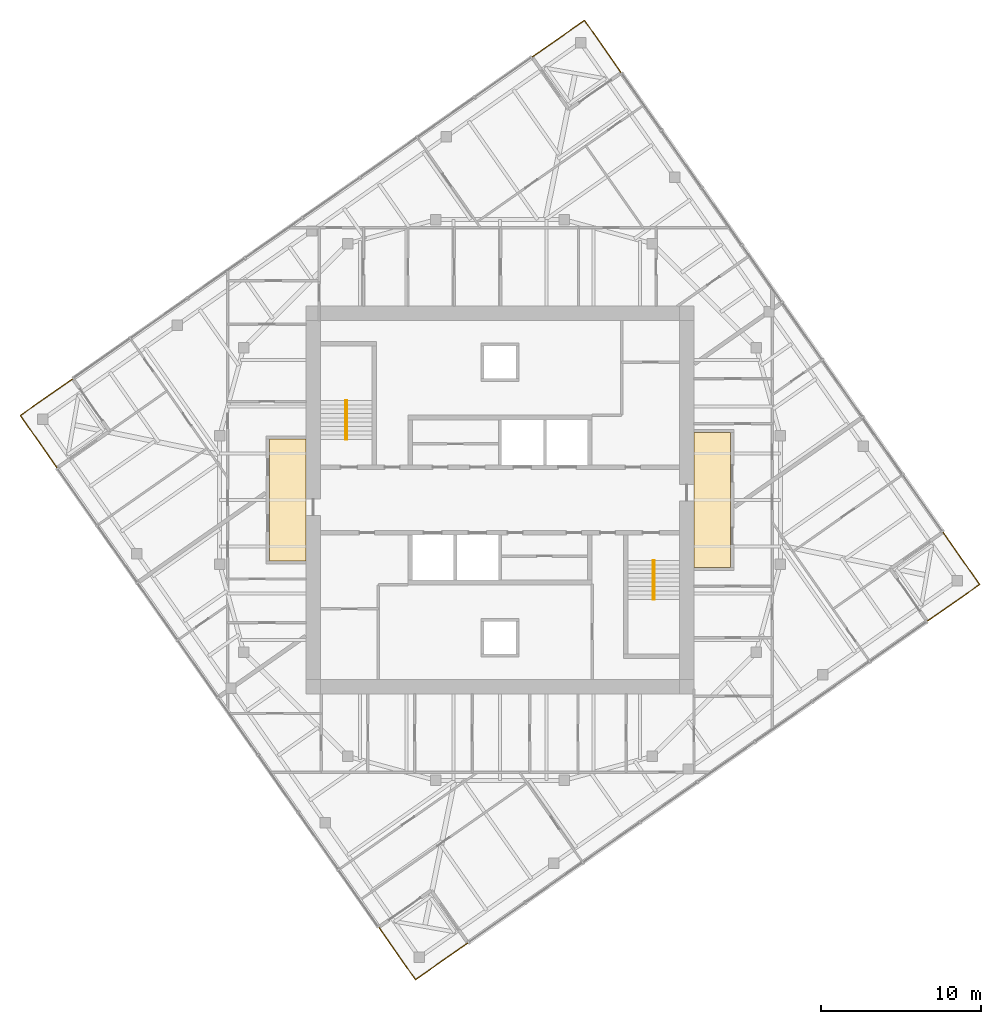
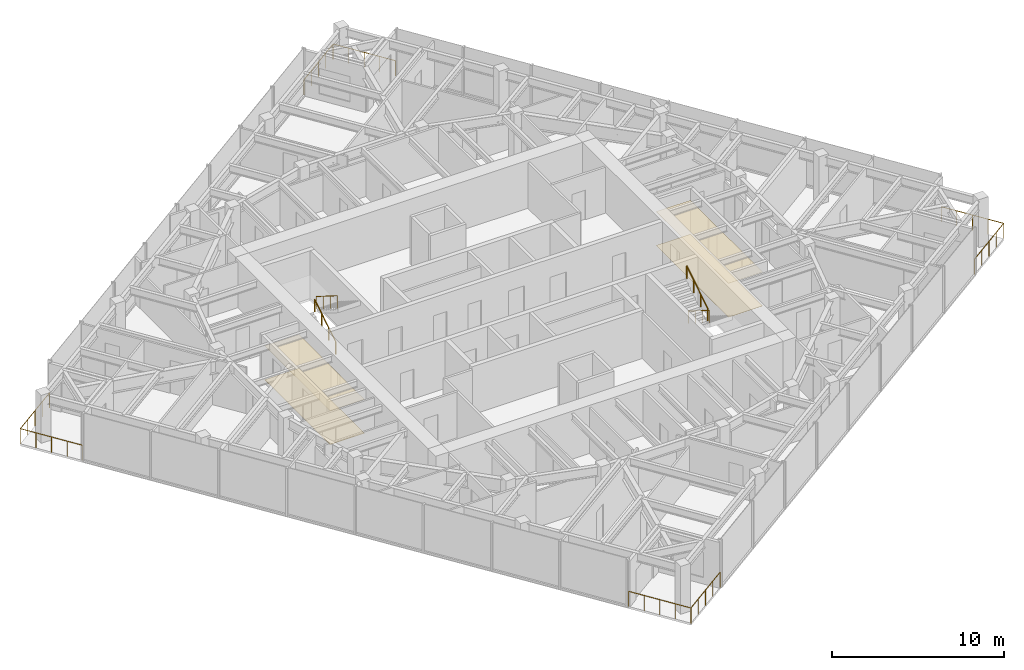
# One storey, part 12 of 12: 8 railings, 4 coverings, 2 elements without a shape of their own.
"""IFC4 building model written with IfcOpenShell, lengths in metres."""

from ifc_helpers import new_model, si_unit, direction, frame, origin, origin_2d, place, context, subcontext, project, spatial, polyline, circle, outline, extrude, material, layer, layer_set, type_object, element, aggregate, save


model = new_model("IFC4")

# Units and contexts
model_context = context("Model", 3, precision=1e-05, world=origin(), true_north=direction((0.0, 1.0)))
body_context = subcontext(model_context, "Body", "Model", "MODEL_VIEW")
ifc_project = project(units=[si_unit("LENGTHUNIT", "METRE"), si_unit("AREAUNIT", "SQUARE_METRE"), si_unit("VOLUMEUNIT", "CUBIC_METRE"), si_unit("PLANEANGLEUNIT", "RADIAN"), si_unit("MASSUNIT", "GRAM", prefix="KILO")], contexts=[model_context])

# Site, building, storey
site_placement = place(None, origin())
site = spatial("IfcSite", under=ifc_project, at=site_placement, CompositionType="ELEMENT")
building_placement = place(site_placement, origin())
building = spatial("IfcBuilding", under=site, at=building_placement, Name="Torsade Residences", CompositionType="ELEMENT")
storey_placement = place(building_placement, frame((0.0, 0.0, 247.199951171875)))
storey = spatial("IfcBuildingStorey", under=building, at=storey_placement, Name="L68", CompositionType="ELEMENT", Elevation=247.199951171875)

# Coverings
ifc_material_1 = material(Name="Nylon carpet tile on underlay", Category="textile")
ifc_layer_1 = layer(ifc_material_1, 0.010009765625)
ifc_layer_set_1 = layer_set([ifc_layer_1], Name="Nylon carpet tile on underlay")
covering_type_1 = type_object("IfcCoveringType", Name="CORRIDOR CARPET TILE 10", PredefinedType="FLOORING", material=ifc_layer_set_1)
covering_1_placement = place(storey_placement, origin())
element("IfcCovering", 1, at=covering_1_placement, inside=storey, type_object=covering_type_1, Name="Corridor carpet L68", PredefinedType="FLOORING", context=body_context, shape_type="SweptSolid", body=[
    extrude(outline(polyline([(54.39990234375, 25.800048828125), (54.39990234375, 34.199951171875), (52.10009765625, 34.199951171875), (52.10009765625, 25.800048828125), (54.39990234375, 25.800048828125)])), origin(), (0.0, 0.0, 1.0), 0.010009765625),
])
covering_2_placement = place(storey_placement, origin())
element("IfcCovering", 2, at=covering_2_placement, inside=storey, type_object=covering_type_1, Name="Corridor carpet west L68", PredefinedType="FLOORING", context=body_context, shape_type="SweptSolid", body=[
    extrude(outline(polyline([(27.89990234375, 26.199951171875), (27.89990234375, 33.800048828125), (25.60009765625, 33.800048828125), (25.60009765625, 26.199951171875), (27.89990234375, 26.199951171875)])), origin(), (0.0, 0.0, 1.0), 0.010009765625),
])
ifc_material_2 = material(Name="Plasterboard on suspended steel grid", Category="steel")
ifc_layer_2 = layer(ifc_material_2, 0.012939453125)
ifc_layer_set_2 = layer_set([ifc_layer_2], Name="Plasterboard on suspended steel grid")
covering_type_2 = type_object("IfcCoveringType", Name="CORRIDOR SUSPENDED CEILING 13", PredefinedType="CEILING", material=ifc_layer_set_2)
covering_3_placement = place(storey_placement, frame((0.0, 0.0, 2.400146484375)))
element("IfcCovering", 3, at=covering_3_placement, inside=storey, type_object=covering_type_2, Name="Corridor ceiling L68", PredefinedType="CEILING", context=body_context, shape_type="SweptSolid", body=[
    extrude(outline(polyline([(54.39990234375, 25.800048828125), (54.39990234375, 34.199951171875), (52.10009765625, 34.199951171875), (52.10009765625, 25.800048828125), (54.39990234375, 25.800048828125)])), origin(), (0.0, 0.0, 1.0), 0.012939453125),
])
covering_4_placement = place(storey_placement, frame((0.0, 0.0, 2.400146484375)))
element("IfcCovering", 4, at=covering_4_placement, inside=storey, type_object=covering_type_2, Name="Corridor ceiling west L68", PredefinedType="CEILING", context=body_context, shape_type="SweptSolid", body=[
    extrude(outline(polyline([(27.89990234375, 26.199951171875), (27.89990234375, 33.800048828125), (25.60009765625, 33.800048828125), (25.60009765625, 26.199951171875), (27.89990234375, 26.199951171875)])), origin(), (0.0, 0.0, 1.0), 0.012939453125),
])

# Stair, railings
ifc_material_3 = material(Name="Precast concrete 40 MPa", Category="concrete")
stair_type = type_object("IfcStairType", Name="HALF-TURN FIRE STAIR 1500x3400", PredefinedType="HALF_TURN_STAIR", material=ifc_material_3)
stair_1_placement = place(storey_placement, origin())
stair_1 = element("IfcStair", 5, at=stair_1_placement, inside=storey, type_object=stair_type, Name="Stair ST1 L68", PredefinedType="HALF_TURN_STAIR")
ifc_material_4 = material(Name="Steel handrail", Category="steel")
railing_type_1 = type_object("IfcRailingType", Name="STAIR HANDRAIL 900", PredefinedType="HANDRAIL", material=ifc_material_4)
railing_1_placement = place(storey_placement, frame((30.35009765625, 33.780029296875, 0.170166015625)))
railing_1 = element("IfcRailing", 6, at=railing_1_placement, type_object=railing_type_1, Name="Handrail ST1 flight 1 L68", PredefinedType="HANDRAIL", context=body_context, shape_type="SweptSolid", body=[
    extrude(circle(Radius=0.02392578125, at=origin_2d()), frame((0.0, 0.0, 0.8759765625), z_axis=(0.0, 0.846259816676, 0.532770422113), x_axis=(-1.0, 0.0, 0.0)), (0.0, 0.0, 1.0), 2.871337890625),
    extrude(circle(Radius=0.02099609375, at=origin_2d()), origin(), (0.0, 0.0, 1.0), 0.851806640625),
    extrude(circle(Radius=0.02099609375, at=origin_2d()), frame((0.0, 0.81005859375, 0.510009765625)), (0.0, 0.0, 1.0), 0.851806640625),
    extrude(circle(Radius=0.02099609375, at=origin_2d()), frame((0.0, 1.619873046875, 1.019775390625)), (0.0, 0.0, 1.0), 0.851806640625),
    extrude(circle(Radius=0.02099609375, at=origin_2d()), frame((0.0, 2.429931640625, 1.52978515625)), (0.0, 0.0, 1.0), 0.851806640625),
])
railing_2_placement = place(storey_placement, frame((30.449951171875, 36.2099609375, 1.8701171875)))
railing_2 = element("IfcRailing", 7, at=railing_2_placement, type_object=railing_type_1, Name="Handrail ST1 flight 2 L68", PredefinedType="HANDRAIL", context=body_context, shape_type="SweptSolid", body=[
    extrude(circle(Radius=0.02392578125, at=origin_2d()), frame((0.0, 0.0, 0.8759765625), z_axis=(0.0, -0.846221481393, 0.532831309544), x_axis=(1.0, 0.0, 0.0)), (0.0, 0.0, 1.0), 2.87158203125),
    extrude(circle(Radius=0.02099609375, at=origin_2d()), origin(), (0.0, 0.0, 1.0), 0.851806640625),
    extrude(circle(Radius=0.02099609375, at=origin_2d()), frame((0.0, -0.81005859375, 0.510009765625)), (0.0, 0.0, 1.0), 0.851806640625),
    extrude(circle(Radius=0.02099609375, at=origin_2d()), frame((0.0, -1.619873046875, 1.02001953125)), (0.0, 0.0, 1.0), 0.851806640625),
    extrude(circle(Radius=0.02099609375, at=origin_2d()), frame((0.0, -2.429931640625, 1.530029296875)), (0.0, 0.0, 1.0), 0.851806640625),
])
aggregate(stair_1, [railing_1, railing_2])

stair_2_placement = place(storey_placement, origin())
stair_2 = element("IfcStair", 8, at=stair_2_placement, inside=storey, type_object=stair_type, Name="Stair ST2 L68", PredefinedType="HALF_TURN_STAIR")
railing_3_placement = place(storey_placement, frame((49.64990234375, 26.219970703125, 0.170166015625)))
railing_3 = element("IfcRailing", 9, at=railing_3_placement, type_object=railing_type_1, Name="Handrail ST2 flight 1 L68", PredefinedType="HANDRAIL", context=body_context, shape_type="SweptSolid", body=[
    extrude(circle(Radius=0.02392578125, at=origin_2d()), frame((0.0, 0.0, 0.8759765625), z_axis=(0.0, -0.846259816676, 0.532770422113), x_axis=(1.0, 0.0, 0.0)), (0.0, 0.0, 1.0), 2.871337890625),
    extrude(circle(Radius=0.02099609375, at=origin_2d()), origin(), (0.0, 0.0, 1.0), 0.851806640625),
    extrude(circle(Radius=0.02099609375, at=origin_2d()), frame((0.0, -0.81005859375, 0.510009765625)), (0.0, 0.0, 1.0), 0.851806640625),
    extrude(circle(Radius=0.02099609375, at=origin_2d()), frame((0.0, -1.619873046875, 1.019775390625)), (0.0, 0.0, 1.0), 0.851806640625),
    extrude(circle(Radius=0.02099609375, at=origin_2d()), frame((0.0, -2.429931640625, 1.52978515625)), (0.0, 0.0, 1.0), 0.851806640625),
])
railing_4_placement = place(storey_placement, frame((49.550048828125, 23.7900390625, 1.8701171875)))
railing_4 = element("IfcRailing", 10, at=railing_4_placement, type_object=railing_type_1, Name="Handrail ST2 flight 2 L68", PredefinedType="HANDRAIL", context=body_context, shape_type="SweptSolid", body=[
    extrude(circle(Radius=0.02392578125, at=origin_2d()), frame((0.0, 0.0, 0.8759765625), z_axis=(0.0, 0.846221481393, 0.532831309544), x_axis=(-1.0, 0.0, 0.0)), (0.0, 0.0, 1.0), 2.87158203125),
    extrude(circle(Radius=0.02099609375, at=origin_2d()), origin(), (0.0, 0.0, 1.0), 0.851806640625),
    extrude(circle(Radius=0.02099609375, at=origin_2d()), frame((0.0, 0.81005859375, 0.510009765625)), (0.0, 0.0, 1.0), 0.851806640625),
    extrude(circle(Radius=0.02099609375, at=origin_2d()), frame((0.0, 1.619873046875, 1.02001953125)), (0.0, 0.0, 1.0), 0.851806640625),
    extrude(circle(Radius=0.02099609375, at=origin_2d()), frame((0.0, 2.429931640625, 1.530029296875)), (0.0, 0.0, 1.0), 0.851806640625),
])
aggregate(stair_2, [railing_3, railing_4])

# Railings
ifc_material_5 = material(Name="Laminated glass balustrade", Category="glass")
railing_type_2 = type_object("IfcRailingType", Name="TERRACE GLASS BALUSTRADE 1100", PredefinedType="BALUSTRADE", material=ifc_material_5)
railing_5_placement = place(storey_placement, frame((66.6669921875, 22.42578125, 0.0)))
element("IfcRailing", 11, at=railing_5_placement, inside=storey, type_object=railing_type_2, Name="Terrace balustrade SE L68", PredefinedType="BALUSTRADE", context=body_context, shape_type="SweptSolid", body=[
    extrude(circle(Radius=0.02392578125, at=origin_2d()), frame((0.0, 0.0, 1.076171875), z_axis=(0.819137286189, 0.573597512525, 0.0), x_axis=(-0.573597512525, 0.819137286189, 0.0)), (0.0, 0.0, 1.0), 4.0),
    extrude(circle(Radius=0.02392578125, at=origin_2d()), frame((3.276611328125, 2.29443359375, 1.076171875), z_axis=(-0.573556557423, 0.819165963305, 0.0), x_axis=(-0.819165963305, -0.573556557423, 0.0)), (0.0, 0.0, 1.0), 4.0),
    extrude(circle(Radius=0.02099609375, at=origin_2d()), origin(), (0.0, 0.0, 1.0), 1.052001953125),
    extrude(circle(Radius=0.02099609375, at=origin_2d()), frame((0.819091796875, 0.57373046875, 0.0)), (0.0, 0.0, 1.0), 1.052001953125),
    extrude(circle(Radius=0.02099609375, at=origin_2d()), frame((1.63818359375, 1.147216796875, 0.0)), (0.0, 0.0, 1.0), 1.052001953125),
    extrude(circle(Radius=0.02099609375, at=origin_2d()), frame((2.45751953125, 1.720703125, 0.0)), (0.0, 0.0, 1.0), 1.052001953125),
    extrude(circle(Radius=0.02099609375, at=origin_2d()), frame((3.276611328125, 2.29443359375, 0.0)), (0.0, 0.0, 1.0), 1.052001953125),
    extrude(circle(Radius=0.02099609375, at=origin_2d()), frame((2.703125, 3.113525390625, 0.0)), (0.0, 0.0, 1.0), 1.052001953125),
    extrude(circle(Radius=0.02099609375, at=origin_2d()), frame((2.12939453125, 3.9326171875, 0.0)), (0.0, 0.0, 1.0), 1.052001953125),
    extrude(circle(Radius=0.02099609375, at=origin_2d()), frame((1.555908203125, 4.751953125, 0.0)), (0.0, 0.0, 1.0), 1.052001953125),
    extrude(circle(Radius=0.02099609375, at=origin_2d()), frame((0.982421875, 5.571044921875, 0.0)), (0.0, 0.0, 1.0), 1.052001953125),
])
railing_6_placement = place(storey_placement, frame((47.57421875, 56.6669921875, 0.0)))
element("IfcRailing", 12, at=railing_6_placement, inside=storey, type_object=railing_type_2, Name="Terrace balustrade NE L68", PredefinedType="BALUSTRADE", context=body_context, shape_type="SweptSolid", body=[
    extrude(circle(Radius=0.02392578125, at=origin_2d()), frame((0.0, 0.0, 1.076171875), z_axis=(-0.573597512525, 0.819137286189, 0.0), x_axis=(-0.819137286189, -0.573597512525, 0.0)), (0.0, 0.0, 1.0), 4.0),
    extrude(circle(Radius=0.02392578125, at=origin_2d()), frame((-2.29443359375, 3.276611328125, 1.076171875), z_axis=(-0.819165963305, -0.573556557423, 0.0), x_axis=(0.573556557423, -0.819165963305, 0.0)), (0.0, 0.0, 1.0), 4.0),
    extrude(circle(Radius=0.02099609375, at=origin_2d()), origin(), (0.0, 0.0, 1.0), 1.052001953125),
    extrude(circle(Radius=0.02099609375, at=origin_2d()), frame((-0.57373046875, 0.819091796875, 0.0)), (0.0, 0.0, 1.0), 1.052001953125),
    extrude(circle(Radius=0.02099609375, at=origin_2d()), frame((-1.147216796875, 1.63818359375, 0.0)), (0.0, 0.0, 1.0), 1.052001953125),
    extrude(circle(Radius=0.02099609375, at=origin_2d()), frame((-1.720703125, 2.45751953125, 0.0)), (0.0, 0.0, 1.0), 1.052001953125),
    extrude(circle(Radius=0.02099609375, at=origin_2d()), frame((-2.29443359375, 3.276611328125, 0.0)), (0.0, 0.0, 1.0), 1.052001953125),
    extrude(circle(Radius=0.02099609375, at=origin_2d()), frame((-3.113525390625, 2.703125, 0.0)), (0.0, 0.0, 1.0), 1.052001953125),
    extrude(circle(Radius=0.02099609375, at=origin_2d()), frame((-3.9326171875, 2.12939453125, 0.0)), (0.0, 0.0, 1.0), 1.052001953125),
    extrude(circle(Radius=0.02099609375, at=origin_2d()), frame((-4.751953125, 1.555908203125, 0.0)), (0.0, 0.0, 1.0), 1.052001953125),
    extrude(circle(Radius=0.02099609375, at=origin_2d()), frame((-5.571044921875, 0.982421875, 0.0)), (0.0, 0.0, 1.0), 1.052001953125),
])
railing_7_placement = place(storey_placement, frame((13.3330078125, 37.57421875, 0.0)))
element("IfcRailing", 13, at=railing_7_placement, inside=storey, type_object=railing_type_2, Name="Terrace balustrade NW L68", PredefinedType="BALUSTRADE", context=body_context, shape_type="SweptSolid", body=[
    extrude(circle(Radius=0.02392578125, at=origin_2d()), frame((0.0, 0.0, 1.076171875), z_axis=(-0.819137286189, -0.573597512525, 0.0), x_axis=(0.573597512525, -0.819137286189, 0.0)), (0.0, 0.0, 1.0), 4.0),
    extrude(circle(Radius=0.02392578125, at=origin_2d()), frame((-3.276611328125, -2.29443359375, 1.076171875), z_axis=(0.573556557423, -0.819165963305, 0.0), x_axis=(0.819165963305, 0.573556557423, 0.0)), (0.0, 0.0, 1.0), 4.0),
    extrude(circle(Radius=0.02099609375, at=origin_2d()), origin(), (0.0, 0.0, 1.0), 1.052001953125),
    extrude(circle(Radius=0.02099609375, at=origin_2d()), frame((-0.819091796875, -0.57373046875, 0.0)), (0.0, 0.0, 1.0), 1.052001953125),
    extrude(circle(Radius=0.02099609375, at=origin_2d()), frame((-1.63818359375, -1.147216796875, 0.0)), (0.0, 0.0, 1.0), 1.052001953125),
    extrude(circle(Radius=0.02099609375, at=origin_2d()), frame((-2.45751953125, -1.720703125, 0.0)), (0.0, 0.0, 1.0), 1.052001953125),
    extrude(circle(Radius=0.02099609375, at=origin_2d()), frame((-3.276611328125, -2.29443359375, 0.0)), (0.0, 0.0, 1.0), 1.052001953125),
    extrude(circle(Radius=0.02099609375, at=origin_2d()), frame((-2.703125, -3.113525390625, 0.0)), (0.0, 0.0, 1.0), 1.052001953125),
    extrude(circle(Radius=0.02099609375, at=origin_2d()), frame((-2.12939453125, -3.9326171875, 0.0)), (0.0, 0.0, 1.0), 1.052001953125),
    extrude(circle(Radius=0.02099609375, at=origin_2d()), frame((-1.555908203125, -4.751953125, 0.0)), (0.0, 0.0, 1.0), 1.052001953125),
    extrude(circle(Radius=0.02099609375, at=origin_2d()), frame((-0.982421875, -5.571044921875, 0.0)), (0.0, 0.0, 1.0), 1.052001953125),
])
railing_8_placement = place(storey_placement, frame((32.42578125, 3.3330078125, 0.0)))
element("IfcRailing", 14, at=railing_8_placement, inside=storey, type_object=railing_type_2, Name="Terrace balustrade SW L68", PredefinedType="BALUSTRADE", context=body_context, shape_type="SweptSolid", body=[
    extrude(circle(Radius=0.02392578125, at=origin_2d()), frame((0.0, 0.0, 1.076171875), z_axis=(0.573597512525, -0.819137286189, 0.0), x_axis=(0.819137286189, 0.573597512525, 0.0)), (0.0, 0.0, 1.0), 4.0),
    extrude(circle(Radius=0.02392578125, at=origin_2d()), frame((2.29443359375, -3.276611328125, 1.076171875), z_axis=(0.819165963305, 0.573556557423, 0.0), x_axis=(-0.573556557423, 0.819165963305, 0.0)), (0.0, 0.0, 1.0), 4.0),
    extrude(circle(Radius=0.02099609375, at=origin_2d()), origin(), (0.0, 0.0, 1.0), 1.052001953125),
    extrude(circle(Radius=0.02099609375, at=origin_2d()), frame((0.57373046875, -0.819091796875, 0.0)), (0.0, 0.0, 1.0), 1.052001953125),
    extrude(circle(Radius=0.02099609375, at=origin_2d()), frame((1.147216796875, -1.63818359375, 0.0)), (0.0, 0.0, 1.0), 1.052001953125),
    extrude(circle(Radius=0.02099609375, at=origin_2d()), frame((1.720703125, -2.45751953125, 0.0)), (0.0, 0.0, 1.0), 1.052001953125),
    extrude(circle(Radius=0.02099609375, at=origin_2d()), frame((2.29443359375, -3.276611328125, 0.0)), (0.0, 0.0, 1.0), 1.052001953125),
    extrude(circle(Radius=0.02099609375, at=origin_2d()), frame((3.113525390625, -2.703125, 0.0)), (0.0, 0.0, 1.0), 1.052001953125),
    extrude(circle(Radius=0.02099609375, at=origin_2d()), frame((3.9326171875, -2.12939453125, 0.0)), (0.0, 0.0, 1.0), 1.052001953125),
    extrude(circle(Radius=0.02099609375, at=origin_2d()), frame((4.751953125, -1.555908203125, 0.0)), (0.0, 0.0, 1.0), 1.052001953125),
    extrude(circle(Radius=0.02099609375, at=origin_2d()), frame((5.571044921875, -0.982421875, 0.0)), (0.0, 0.0, 1.0), 1.052001953125),
])

save(model, "model.ifc")
